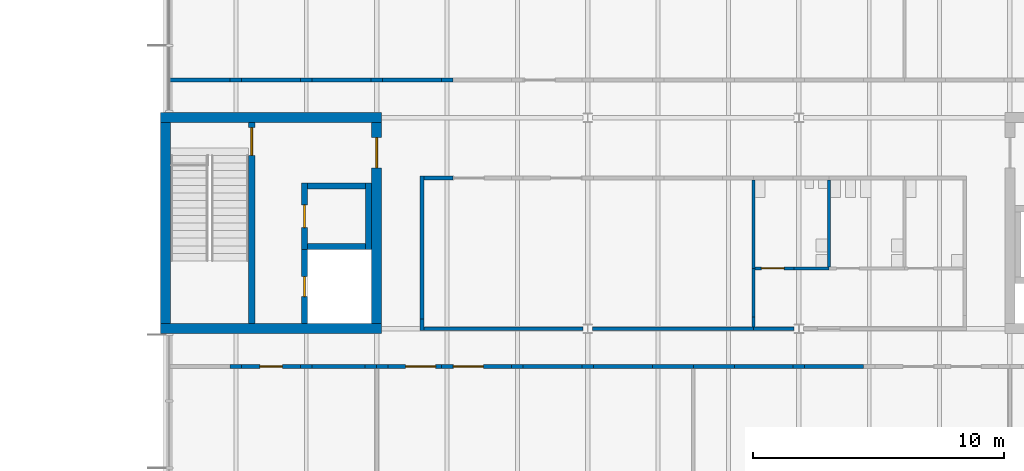
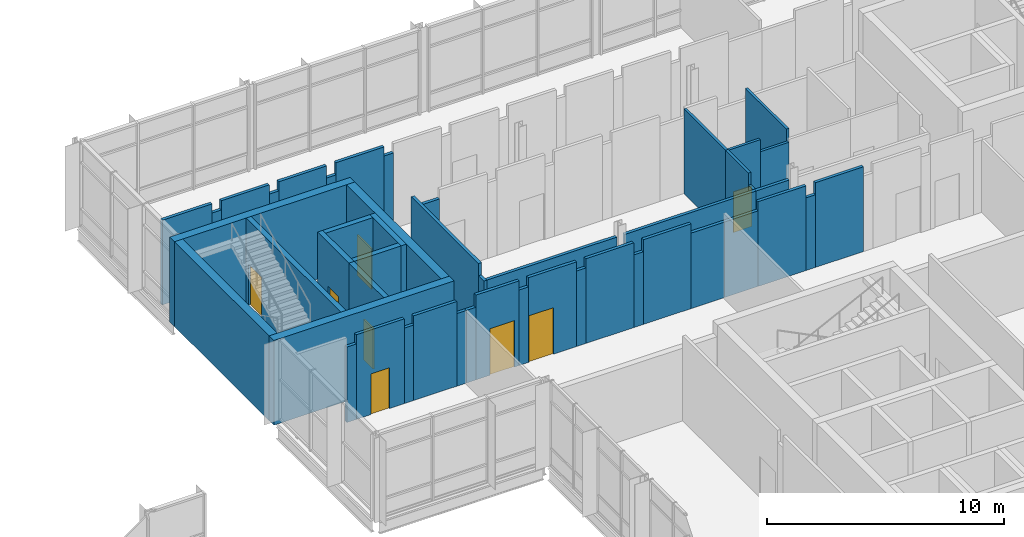
# One storey, part 47 of 72: 48 walls, 8 doors, 8 openings.
"""IFC4 building model written with IfcOpenShell, lengths in metres."""

import ifcopenshell
import ifcopenshell.guid

model = None  # the IFC model being written
_history = None  # IfcOwnerHistory: only IFC2X3 demands one
_inside = {}  # id of a spatial element -> (the spatial element, [elements in it])
_under = {}  # id of a project, library or spatial element -> (it, [spatial elements below it])
_declared = {}  # id of a project -> (the project, [libraries it declares])
_typed = {}  # id of a type object -> (the type object, [elements of that type])
_made_of = {}  # id of a material, layer set ... -> (it, [elements and type objects made of it])


def new_model(schema):
    """Start an empty IFC model of exactly this schema.

    Asked for "IFC4X3", IfcOpenShell would pick the latest addendum, in which some entities
    have other attributes; the version numbers below select the first issue.
    IFC2X3 requires an IfcOwnerHistory on every rooted entity: one is made here for all.
    """
    global model, _history
    if schema == "IFC4X3":
        model = ifcopenshell.file(schema_version=(4, 3, 0, 0))
    else:
        model = ifcopenshell.file(schema=schema)
    _inside.clear()
    _under.clear()
    _declared.clear()
    _typed.clear()
    _made_of.clear()
    _history = None
    if model.schema == "IFC2X3":
        org = make("IfcOrganization", Name="unknown")
        user = make(
            "IfcPersonAndOrganization",
            ThePerson=make("IfcPerson", FamilyName="unknown"),
            TheOrganization=org,
        )
        app = make(
            "IfcApplication",
            ApplicationDeveloper=org,
            Version="unknown",
            ApplicationFullName="unknown",
            ApplicationIdentifier="unknown",
        )
        _history = make(
            "IfcOwnerHistory",
            OwningUser=user,
            OwningApplication=app,
            ChangeAction="ADDED",
            CreationDate=0,
        )
    return model


def make(cls, **values):
    """One entity of the class cls with the attributes given. An attribute that is None is left unset."""
    return model.create_entity(
        cls, **{name: value for name, value in values.items() if value is not None}
    )


def rooted(cls, **values):
    """An entity with a GlobalId (a new one), such as an element, a storey or a relation."""
    return make(cls, GlobalId=ifcopenshell.guid.new(), OwnerHistory=_history, **values)


def si_unit(unit_type, name, prefix=None):
    """IfcSIUnit, for example si_unit("LENGTHUNIT", "METRE", prefix="MILLI")."""
    return make("IfcSIUnit", UnitType=unit_type, Prefix=prefix, Name=name)


def assignment(units):
    """IfcUnitAssignment: the units of a project."""
    return None if units is None else make("IfcUnitAssignment", Units=units)


def point(xyz):
    """IfcCartesianPoint."""
    return None if xyz is None else make("IfcCartesianPoint", Coordinates=xyz)


def direction(xyz):
    """IfcDirection."""
    return None if xyz is None else make("IfcDirection", DirectionRatios=xyz)


def frame(location, z_axis=None, x_axis=None):
    """IfcAxis2Placement3D, a coordinate frame: its origin and axes. An axis left out is left unset."""
    return make(
        "IfcAxis2Placement3D",
        Location=point(location),
        Axis=direction(z_axis),
        RefDirection=direction(x_axis),
    )


def frame_2d(location, x_axis=None):
    """IfcAxis2Placement2D, a coordinate frame in the plane: its origin and x axis."""
    return make(
        "IfcAxis2Placement2D", Location=point(location), RefDirection=direction(x_axis)
    )


def origin():
    """The frame at (0, 0, 0) with its axes left unset."""
    return frame((0.0, 0.0, 0.0))


def place(relative_to, where):
    """IfcLocalPlacement: puts the frame where relative to a parent placement (None: the world)."""
    return make(
        "IfcLocalPlacement", PlacementRelTo=relative_to, RelativePlacement=where
    )


def context(
    kind, dimensions, precision=None, world=None, true_north=None, identifier=None
):
    """IfcGeometricRepresentationContext, for example the 3D "Model" context."""
    return make(
        "IfcGeometricRepresentationContext",
        ContextIdentifier=identifier,
        ContextType=kind,
        CoordinateSpaceDimension=dimensions,
        Precision=precision,
        WorldCoordinateSystem=world,
        TrueNorth=true_north,
    )


def subcontext(parent, identifier, kind, view, scale=None):
    """IfcGeometricRepresentationSubContext, for example "Body" below "Model"."""
    return make(
        "IfcGeometricRepresentationSubContext",
        ContextIdentifier=identifier,
        ContextType=kind,
        ParentContext=parent,
        TargetScale=scale,
        TargetView=view,
    )


def project(units=None, contexts=None):
    """IfcProject with its units and contexts."""
    return rooted(
        "IfcProject",
        Name="project",
        RepresentationContexts=contexts,
        UnitsInContext=assignment(units),
    )


def spatial(cls, under=None, at=None, **own):
    """A site, building, storey or space (cls), placed at a placement, below another one or the project."""
    s = rooted(cls, ObjectPlacement=at, **own)
    if under is not None:
        _under.setdefault(under.id(), (under, []))[1].append(s)
    return s


def profile(cls, at=None, kind="AREA", **sizes):
    """A parametric profile (cls). Its sizes go by their IFC names, for example OverallWidth=200.0."""
    return make(cls, ProfileType=kind, Position=at, **sizes)


def rectangle(**sizes):
    """IfcRectangleProfileDef."""
    return profile("IfcRectangleProfileDef", **sizes)


def extrude(swept, where, along, depth):
    """IfcExtrudedAreaSolid: the profile swept, set in the frame where, extruded along a direction by depth."""
    return make(
        "IfcExtrudedAreaSolid",
        SweptArea=swept,
        Position=where,
        ExtrudedDirection=direction(along),
        Depth=depth,
    )


def shape(context_of_items, identifier, shape_type, items):
    """IfcShapeRepresentation: the items that make up one representation, for example the "Body"."""
    return make(
        "IfcShapeRepresentation",
        ContextOfItems=context_of_items,
        RepresentationIdentifier=identifier,
        RepresentationType=shape_type,
        Items=items,
    )


def material(Name=None, Category=None):
    """IfcMaterial."""
    return make("IfcMaterial", Name=Name, Category=Category)


def layer(
    of_material, thickness, ventilated=None, Name=None, Category=None, Priority=None
):
    """IfcMaterialLayer: one layer of a wall or slab, of a material (None: an air gap)."""
    return make(
        "IfcMaterialLayer",
        Material=of_material,
        LayerThickness=thickness,
        IsVentilated=ventilated,
        Name=Name,
        Category=Category,
        Priority=Priority,
    )


def layer_set(layers, Name=None):
    """IfcMaterialLayerSet."""
    return make("IfcMaterialLayerSet", MaterialLayers=layers, LayerSetName=Name)


def made_of(thing, what):
    """Note that an element or type object is made of a material, layer set ...; save() writes the relation."""
    if what is not None:
        _made_of.setdefault(what.id(), (what, []))[1].append(thing)
    return thing


def type_object(cls, material=None, **own):
    """A type object (cls), such as IfcWallType, which elements share."""
    return made_of(rooted(cls, **own), material)


def element(
    cls,
    number,
    at=None,
    inside=None,
    cuts=None,
    type_object=None,
    material=None,
    context=None,
    identifier="Body",
    shape_type=None,
    held_by="IfcProductDefinitionShape",
    body=None,
    shapes=None,
    **own,
):
    """One element of the class cls, such as IfcWall. Its Tag is "e" and its number.

    at: its placement. inside: the storey or other place that contains it. cuts: it is an
    opening in that element (IfcRelVoidsElement). A single representation is given by context,
    identifier, shape_type and body (its items); several are given by shapes. held_by: the class
    of the entity that holds the representations. save() writes the other relations.
    """
    e = rooted(cls, Tag="e%d" % number, ObjectPlacement=at, **own)
    if body is not None:
        shapes = [shape(context, identifier, shape_type, body)]
    if shapes is not None:
        e.Representation = make(held_by, Representations=shapes)
    if inside is not None:
        _inside.setdefault(inside.id(), (inside, []))[1].append(e)
    if cuts is not None:
        rooted(
            "IfcRelVoidsElement", RelatingBuildingElement=cuts, RelatedOpeningElement=e
        )
    if type_object is not None:
        _typed.setdefault(type_object.id(), (type_object, []))[1].append(e)
    return made_of(e, material)


def fill(opening, filler):
    """IfcRelFillsElement: the door or window that sits in an opening."""
    return rooted(
        "IfcRelFillsElement",
        RelatingOpeningElement=opening,
        RelatedBuildingElement=filler,
    )


def aggregate(whole, parts):
    """IfcRelAggregates: a whole, such as a stair, and the parts it consists of."""
    return rooted("IfcRelAggregates", RelatingObject=whole, RelatedObjects=parts)


def save(model, path):
    """Write the relations noted so far, then the file.

    IfcRelAggregates (storeys below a building ...), IfcRelContainedInSpatialStructure (elements
    in a storey), IfcRelDefinesByType, IfcRelAssociatesMaterial and IfcRelDeclares: one each for
    every whole, place, type object, material and project.
    """
    for whole, parts in _under.values():
        aggregate(whole, parts)
    for where, things in _inside.values():
        rooted(
            "IfcRelContainedInSpatialStructure",
            RelatedElements=things,
            RelatingStructure=where,
        )
    for kind, things in _typed.values():
        rooted("IfcRelDefinesByType", RelatedObjects=things, RelatingType=kind)
    for what, things in _made_of.values():
        rooted("IfcRelAssociatesMaterial", RelatedObjects=things, RelatingMaterial=what)
    for by, libraries in _declared.values():
        rooted("IfcRelDeclares", RelatingContext=by, RelatedDefinitions=libraries)
    model.write(path)


model = new_model("IFC4")

# Units and contexts
model_context = context("Model", 3, precision=1e-05, world=origin(), true_north=direction((0.0, 1.0)))
body_context = subcontext(model_context, "Body", "Model", "MODEL_VIEW")
ifc_project = project(units=[si_unit("LENGTHUNIT", "METRE"), si_unit("AREAUNIT", "SQUARE_METRE"), si_unit("VOLUMEUNIT", "CUBIC_METRE"), si_unit("PLANEANGLEUNIT", "RADIAN"), si_unit("MASSUNIT", "GRAM", prefix="KILO")], contexts=[model_context])

# Site, building, storey
site_placement = place(None, origin())
site = spatial("IfcSite", under=ifc_project, at=site_placement, CompositionType="ELEMENT")
building_placement = place(site_placement, origin())
building = spatial("IfcBuilding", under=site, at=building_placement, Name="Hlaing Beacon Police Headquarters", CompositionType="ELEMENT")
storey_placement = place(building_placement, frame((0.0, 0.0, 14.39990234375)))
storey = spatial("IfcBuildingStorey", under=building, at=storey_placement, Name="L03", CompositionType="ELEMENT", Elevation=14.39990234375)

# Walls
ifc_material_1 = material(Name="Concrete C60/75", Category="concrete")
ifc_layer_1 = layer(ifc_material_1, 0.39990234375)
ifc_layer_set_1 = layer_set([ifc_layer_1], Name="Concrete C60/75")
wall_type_1 = type_object("IfcWallType", Name="Core shear wall 400", PredefinedType="SHEAR", material=ifc_layer_set_1)
for number, where, z_axis, x_axis, name in (
    (1, (92.199951171875, 75.60009765625, 0.0), (0.0, 0.0, 1.0), (1.0, 0.0, 0.0), "Core shear wall"),
    (2, (92.199951171875, 84.0, 0.0), (0.0, 0.0, 1.0), (1.0, 0.0, 0.0), "Core shear wall"),
):
    element("IfcWall", number, at=place(storey_placement, frame(where, z_axis=z_axis, x_axis=x_axis)), inside=storey, type_object=wall_type_1, Name=name, PredefinedType="SHEAR", context=body_context, shape_type="SweptSolid", body=[
        extrude(rectangle(XDim=8.800048828125, YDim=0.39990234375, at=frame_2d((4.39990234375, 0.0))), origin(), (0.0, 0.0, 1.0), 4.3701171875),
    ])
wall_1_placement = place(storey_placement, frame((92.39990234375, 75.800048828125, 0.0), z_axis=(0.0, 0.0, 1.0), x_axis=(0.0, 1.0, 0.0)))
element("IfcWall", 3, at=wall_1_placement, inside=storey, type_object=wall_type_1, Name="Core shear wall", PredefinedType="SHEAR", context=body_context, shape_type="SweptSolid", body=[
    extrude(rectangle(XDim=8.0, YDim=0.39990234375, at=frame_2d((4.0, 0.0))), origin(), (0.0, 0.0, 1.0), 4.3701171875),
])

# Wall, opening, door
wall_2_placement = place(storey_placement, frame((100.800048828125, 75.800048828125, 0.0), z_axis=(0.0, 0.0, 1.0), x_axis=(0.0, 1.0, 0.0)))
wall_2 = element("IfcWall", 4, at=wall_2_placement, inside=storey, type_object=wall_type_1, Name="Core shear wall", PredefinedType="SHEAR", context=body_context, shape_type="SweptSolid", body=[
    extrude(rectangle(XDim=8.0, YDim=0.39990234375, at=frame_2d((4.0, 0.0))), origin(), (0.0, 0.0, 1.0), 4.3701171875),
])
opening_1_placement = place(wall_2_placement, frame((6.199951171875, 0.0, 0.0)))
opening_1 = element("IfcOpeningElement", 5, at=opening_1_placement, cuts=wall_2, Name="Opening L03-938", PredefinedType="OPENING", context=body_context, shape_type="SweptSolid", body=[
    extrude(rectangle(XDim=1.199951171875, YDim=2.10009765625, at=frame_2d((0.60009765625, 1.050048828125))), frame((0.0, 0.2099609375, 0.0), z_axis=(0.0, -1.0, 0.0), x_axis=(1.0, 0.0, 0.0)), (0.0, 0.0, 1.0), 0.419921875),
])
ifc_material_2 = material(Name="Steel fire door leaf", Category="steel")
ifc_layer_2 = layer(ifc_material_2, 0.070068359375)
ifc_layer_set_2 = layer_set([ifc_layer_2], Name="Steel fire door leaf")
door_type_1 = type_object("IfcDoorType", Name="Steel fire door FD60S 1200x2100", OperationType="SINGLE_SWING_LEFT", PredefinedType="DOOR", material=ifc_layer_set_2)
door_1_placement = place(opening_1_placement, origin())
door_1 = element("IfcDoor", 6, at=door_1_placement, inside=storey, type_object=door_type_1, Name="Door Lift and Stair Lobby ST-Q Entry", OperationType="SINGLE_SWING_RIGHT", OverallHeight=2.10009765625, OverallWidth=1.199951171875, PredefinedType="DOOR", context=body_context, shape_type="SweptSolid", body=[
    extrude(rectangle(XDim=1.199951171875, YDim=2.10009765625, at=frame_2d((0.60009765625, 1.050048828125))), frame((0.0, 0.03515625, 0.0), z_axis=(0.0, -1.0, 0.0), x_axis=(1.0, 0.0, 0.0)), (0.0, 0.0, 1.0), 0.070068359375),
])
fill(opening_1, door_1)

# Walls
ifc_material_3 = material(Name="Gypsum board partition")
ifc_layer_3 = layer(ifc_material_3, 0.14990234375)
ifc_layer_set_3 = layer_set([ifc_layer_3], Name="Gypsum board partition")
wall_type_2 = type_object("IfcWallType", Name="Corridor wall EI 30 150", PredefinedType="PARTITIONING", material=ifc_layer_set_3)
wall_3_placement = place(storey_placement, frame((102.60009765625, 75.52490234375, 0.0), z_axis=(0.0, 0.0, 1.0), x_axis=(0.0, 1.0, 0.0)))
element("IfcWall", 7, at=wall_3_placement, inside=storey, type_object=wall_type_2, Name="Corridor wall EI 30 150", PredefinedType="PARTITIONING", context=body_context, shape_type="SweptSolid", body=[
    extrude(rectangle(XDim=0.460205078125, YDim=0.14990234375, at=frame_2d((0.22998046875, 0.0))), origin(), (0.0, 0.0, 1.0), 3.74609375),
])
wall_4_placement = place(storey_placement, frame((102.60009765625, 75.985107421875, 0.0), z_axis=(0.0, 0.0, 1.0), x_axis=(0.0, 1.0, 0.0)))
element("IfcWall", 8, at=wall_4_placement, inside=storey, type_object=wall_type_2, Name="Corridor wall EI 30 150", PredefinedType="PARTITIONING", context=body_context, shape_type="SweptSolid", body=[
    extrude(rectangle(XDim=5.68994140625, YDim=0.14990234375, at=frame_2d((2.844970703125, 0.0))), origin(), (0.0, 0.0, 1.0), 4.3701171875),
])
wall_5_placement = place(storey_placement, frame((102.675048828125, 75.60009765625, 0.0), z_axis=(0.0, 0.0, 1.0), x_axis=(1.0, 0.0, 0.0)))
element("IfcWall", 9, at=wall_5_placement, inside=storey, type_object=wall_type_2, Name="Corridor wall EI 30 150", PredefinedType="PARTITIONING", context=body_context, shape_type="SweptSolid", body=[
    extrude(rectangle(XDim=6.3388671875, YDim=0.14990234375, at=frame_2d((3.16943359375, 0.0))), origin(), (0.0, 0.0, 1.0), 3.74609375),
])
wall_6_placement = place(storey_placement, frame((109.385986328125, 75.60009765625, 0.0), z_axis=(0.0, 0.0, 1.0), x_axis=(1.0, 0.0, 0.0)))
element("IfcWall", 10, at=wall_6_placement, inside=storey, type_object=wall_type_2, Name="Corridor wall EI 30 150", PredefinedType="PARTITIONING", context=body_context, shape_type="SweptSolid", body=[
    extrude(rectangle(XDim=6.4140625, YDim=0.14990234375, at=frame_2d((3.20703125, 0.0))), origin(), (0.0, 0.0, 1.0), 3.74609375),
])
wall_7_placement = place(storey_placement, frame((102.675048828125, 81.60009765625, 0.0), z_axis=(0.0, 0.0, 1.0), x_axis=(1.0, 0.0, 0.0)))
element("IfcWall", 11, at=wall_7_placement, inside=storey, type_object=wall_type_2, Name="Corridor wall EI 30 150", PredefinedType="PARTITIONING", context=body_context, shape_type="SweptSolid", body=[
    extrude(rectangle(XDim=1.155029296875, YDim=0.14990234375, at=frame_2d((0.57763671875, 0.0))), origin(), (0.0, 0.0, 1.0), 3.89501953125),
])
wall_8_placement = place(storey_placement, frame((115.800048828125, 75.60009765625, 0.0), z_axis=(0.0, 0.0, 1.0), x_axis=(1.0, 0.0, 0.0)))
element("IfcWall", 12, at=wall_8_placement, inside=storey, type_object=wall_type_2, Name="Corridor wall EI 30 150", PredefinedType="PARTITIONING", context=body_context, shape_type="SweptSolid", body=[
    extrude(rectangle(XDim=1.614013671875, YDim=0.14990234375, at=frame_2d((0.80712890625, 0.0))), origin(), (0.0, 0.0, 1.0), 3.74609375),
])
wall_9_placement = place(storey_placement, frame((92.550048828125, 85.5, 0.0), z_axis=(0.0, 0.0, 1.0), x_axis=(1.0, 0.0, 0.0)))
element("IfcWall", 13, at=wall_9_placement, inside=storey, type_object=wall_type_2, Name="Corridor wall EI 30 150", PredefinedType="PARTITIONING", context=body_context, shape_type="SweptSolid", body=[
    extrude(rectangle(XDim=2.419921875, YDim=0.14990234375, at=frame_2d((1.2099609375, 0.0))), origin(), (0.0, 0.0, 1.0), 4.3701171875),
])
wall_10_placement = place(storey_placement, frame((94.969970703125, 85.5, 0.0), z_axis=(0.0, 0.0, 1.0), x_axis=(1.0, 0.0, 0.0)))
element("IfcWall", 14, at=wall_10_placement, inside=storey, type_object=wall_type_2, Name="Corridor wall EI 30 150", PredefinedType="PARTITIONING", context=body_context, shape_type="SweptSolid", body=[
    extrude(rectangle(XDim=0.4599609375, YDim=0.14990234375, at=frame_2d((0.22998046875, 0.0))), origin(), (0.0, 0.0, 1.0), 3.89501953125),
])
wall_11_placement = place(storey_placement, frame((95.429931640625, 85.5, 0.0), z_axis=(0.0, 0.0, 1.0), x_axis=(1.0, 0.0, 0.0)))
element("IfcWall", 15, at=wall_11_placement, inside=storey, type_object=wall_type_2, Name="Corridor wall EI 30 150", PredefinedType="PARTITIONING", context=body_context, shape_type="SweptSolid", body=[
    extrude(rectangle(XDim=2.340087890625, YDim=0.14990234375, at=frame_2d((1.169921875, 0.0))), origin(), (0.0, 0.0, 1.0), 4.3701171875),
])
wall_12_placement = place(storey_placement, frame((97.77001953125, 85.5, 0.0), z_axis=(0.0, 0.0, 1.0), x_axis=(1.0, 0.0, 0.0)))
element("IfcWall", 16, at=wall_12_placement, inside=storey, type_object=wall_type_2, Name="Corridor wall EI 30 150", PredefinedType="PARTITIONING", context=body_context, shape_type="SweptSolid", body=[
    extrude(rectangle(XDim=0.4599609375, YDim=0.14990234375, at=frame_2d((0.22998046875, 0.0))), origin(), (0.0, 0.0, 1.0), 3.89501953125),
])
wall_13_placement = place(storey_placement, frame((98.22998046875, 85.5, 0.0), z_axis=(0.0, 0.0, 1.0), x_axis=(1.0, 0.0, 0.0)))
element("IfcWall", 17, at=wall_13_placement, inside=storey, type_object=wall_type_2, Name="Corridor wall EI 30 150", PredefinedType="PARTITIONING", context=body_context, shape_type="SweptSolid", body=[
    extrude(rectangle(XDim=2.340087890625, YDim=0.14990234375, at=frame_2d((1.169921875, 0.0))), origin(), (0.0, 0.0, 1.0), 4.3701171875),
])
wall_14_placement = place(storey_placement, frame((100.570068359375, 85.5, 0.0), z_axis=(0.0, 0.0, 1.0), x_axis=(1.0, 0.0, 0.0)))
element("IfcWall", 18, at=wall_14_placement, inside=storey, type_object=wall_type_2, Name="Corridor wall EI 30 150", PredefinedType="PARTITIONING", context=body_context, shape_type="SweptSolid", body=[
    extrude(rectangle(XDim=0.4599609375, YDim=0.14990234375, at=frame_2d((0.22998046875, 0.0))), origin(), (0.0, 0.0, 1.0), 3.74609375),
])
wall_15_placement = place(storey_placement, frame((101.030029296875, 85.5, 0.0), z_axis=(0.0, 0.0, 1.0), x_axis=(1.0, 0.0, 0.0)))
element("IfcWall", 19, at=wall_15_placement, inside=storey, type_object=wall_type_2, Name="Corridor wall EI 30 150", PredefinedType="PARTITIONING", context=body_context, shape_type="SweptSolid", body=[
    extrude(rectangle(XDim=2.340087890625, YDim=0.14990234375, at=frame_2d((1.169921875, 0.0))), origin(), (0.0, 0.0, 1.0), 4.3701171875),
])
for number, where, z_axis, x_axis, name in (
    (20, (103.3701171875, 85.5, 0.0), (0.0, 0.0, 1.0), (1.0, 0.0, 0.0), "Corridor wall EI 30 150"),
    (21, (94.969970703125, 74.10009765625, 0.0), (0.0, 0.0, 1.0), (1.0, 0.0, 0.0), "Corridor wall EI 30 150"),
):
    element("IfcWall", number, at=place(storey_placement, frame(where, z_axis=z_axis, x_axis=x_axis)), inside=storey, type_object=wall_type_2, Name=name, PredefinedType="PARTITIONING", context=body_context, shape_type="SweptSolid", body=[
        extrude(rectangle(XDim=0.4599609375, YDim=0.14990234375, at=frame_2d((0.22998046875, 0.0))), origin(), (0.0, 0.0, 1.0), 3.89501953125),
    ])

# Wall, opening, door
wall_16_placement = place(storey_placement, frame((95.429931640625, 74.10009765625, 0.0), z_axis=(0.0, 0.0, 1.0), x_axis=(1.0, 0.0, 0.0)))
wall_16 = element("IfcWall", 22, at=wall_16_placement, inside=storey, type_object=wall_type_2, Name="Corridor wall EI 30 150", PredefinedType="PARTITIONING", context=body_context, shape_type="SweptSolid", body=[
    extrude(rectangle(XDim=2.340087890625, YDim=0.14990234375, at=frame_2d((1.169921875, 0.0))), origin(), (0.0, 0.0, 1.0), 4.3701171875),
])
opening_2_placement = place(wall_16_placement, frame((0.719970703125, 0.0, 0.0)))
opening_2 = element("IfcOpeningElement", 23, at=opening_2_placement, cuts=wall_16, Name="Opening L03-040", PredefinedType="OPENING", context=body_context, shape_type="SweptSolid", body=[
    extrude(rectangle(XDim=0.89990234375, YDim=2.10009765625, at=frame_2d((0.449951171875, 1.050048828125))), frame((0.0, 0.0849609375, 0.0), z_axis=(0.0, -1.0, 0.0), x_axis=(1.0, 0.0, 0.0)), (0.0, 0.0, 1.0), 0.169921875),
])
ifc_material_4 = material(Name="Hardwood door leaf", Category="wood")
ifc_layer_4 = layer(ifc_material_4, 0.050048828125)
ifc_layer_set_4 = layer_set([ifc_layer_4], Name="Hardwood door leaf")
door_type_2 = type_object("IfcDoorType", Name="Fire door FD30S 900x2100", OperationType="SINGLE_SWING_LEFT", PredefinedType="DOOR", material=ifc_layer_set_4)
door_2_placement = place(opening_2_placement, frame((0.89990234375, 0.0, 0.0), z_axis=(0.0, 0.0, 1.0), x_axis=(-1.0, 0.0, 0.0)))
door_2 = element("IfcDoor", 24, at=door_2_placement, inside=storey, type_object=door_type_2, Name="Door Training Offices", OperationType="SINGLE_SWING_LEFT", OverallHeight=2.10009765625, OverallWidth=0.89990234375, PredefinedType="DOOR", context=body_context, shape_type="SweptSolid", body=[
    extrude(rectangle(XDim=0.89990234375, YDim=2.10009765625, at=frame_2d((0.449951171875, 1.050048828125))), frame((0.0, 0.025146484375, 0.0), z_axis=(0.0, -1.0, 0.0), x_axis=(1.0, 0.0, 0.0)), (0.0, 0.0, 1.0), 0.050048828125),
])
fill(opening_2, door_2)

# Walls
wall_17_placement = place(storey_placement, frame((97.77001953125, 74.10009765625, 0.0), z_axis=(0.0, 0.0, 1.0), x_axis=(1.0, 0.0, 0.0)))
element("IfcWall", 25, at=wall_17_placement, inside=storey, type_object=wall_type_2, Name="Corridor wall EI 30 150", PredefinedType="PARTITIONING", context=body_context, shape_type="SweptSolid", body=[
    extrude(rectangle(XDim=0.4599609375, YDim=0.14990234375, at=frame_2d((0.22998046875, 0.0))), origin(), (0.0, 0.0, 1.0), 3.89501953125),
])
wall_18_placement = place(storey_placement, frame((98.22998046875, 74.10009765625, 0.0), z_axis=(0.0, 0.0, 1.0), x_axis=(1.0, 0.0, 0.0)))
element("IfcWall", 26, at=wall_18_placement, inside=storey, type_object=wall_type_2, Name="Corridor wall EI 30 150", PredefinedType="PARTITIONING", context=body_context, shape_type="SweptSolid", body=[
    extrude(rectangle(XDim=2.110107421875, YDim=0.14990234375, at=frame_2d((1.05517578125, 0.0))), origin(), (0.0, 0.0, 1.0), 4.3701171875),
])
for number, where, z_axis, x_axis, name in (
    (27, (100.340087890625, 74.10009765625, 0.0), (0.0, 0.0, 1.0), (1.0, 0.0, 0.0), "Corridor wall EI 30 150"),
    (28, (100.800048828125, 74.10009765625, 0.0), (0.0, 0.0, 1.0), (1.0, 0.0, 0.0), "Corridor wall EI 30 150"),
):
    element("IfcWall", number, at=place(storey_placement, frame(where, z_axis=z_axis, x_axis=x_axis)), inside=storey, type_object=wall_type_2, Name=name, PredefinedType="PARTITIONING", context=body_context, shape_type="SweptSolid", body=[
        extrude(rectangle(XDim=0.4599609375, YDim=0.14990234375, at=frame_2d((0.22998046875, 0.0))), origin(), (0.0, 0.0, 1.0), 3.74609375),
    ])

# Wall, opening, door
wall_19_placement = place(storey_placement, frame((101.260009765625, 74.10009765625, 0.0), z_axis=(0.0, 0.0, 1.0), x_axis=(1.0, 0.0, 0.0)))
wall_19 = element("IfcWall", 29, at=wall_19_placement, inside=storey, type_object=wall_type_2, Name="Corridor wall EI 30 150", PredefinedType="PARTITIONING", context=body_context, shape_type="SweptSolid", body=[
    extrude(rectangle(XDim=2.110107421875, YDim=0.14990234375, at=frame_2d((1.05517578125, 0.0))), origin(), (0.0, 0.0, 1.0), 4.3701171875),
])
opening_3_placement = place(wall_19_placement, frame((0.68994140625, 0.0, 0.0)))
opening_3 = element("IfcOpeningElement", 30, at=opening_3_placement, cuts=wall_19, Name="Opening L03-041", PredefinedType="OPENING", context=body_context, shape_type="SweptSolid", body=[
    extrude(rectangle(XDim=1.199951171875, YDim=2.39990234375, at=frame_2d((0.60009765625, 1.199951171875))), frame((0.0, 0.0849609375, 0.0), z_axis=(0.0, -1.0, 0.0), x_axis=(1.0, 0.0, 0.0)), (0.0, 0.0, 1.0), 0.169921875),
])
ifc_material_5 = material(Name="Hardwood door leaf", Category="wood")
ifc_layer_5 = layer(ifc_material_5, 0.050048828125)
ifc_layer_set_5 = layer_set([ifc_layer_5], Name="Hardwood door leaf")
door_type_3 = type_object("IfcDoorType", Name="Fire public door FD30S 1200x2400", OperationType="SINGLE_SWING_LEFT", PredefinedType="DOOR", material=ifc_layer_set_5)
door_3_placement = place(opening_3_placement, origin())
door_3 = element("IfcDoor", 31, at=door_3_placement, inside=storey, type_object=door_type_3, Name="Door Scenario Training Room 1", OperationType="SINGLE_SWING_RIGHT", OverallHeight=2.39990234375, OverallWidth=1.199951171875, PredefinedType="DOOR", context=body_context, shape_type="SweptSolid", body=[
    extrude(rectangle(XDim=1.199951171875, YDim=2.39990234375, at=frame_2d((0.60009765625, 1.199951171875))), frame((0.0, 0.02490234375, 0.0), z_axis=(0.0, -1.0, 0.0), x_axis=(1.0, 0.0, 0.0)), (0.0, 0.0, 1.0), 0.050048828125),
])
fill(opening_3, door_3)

# Wall
wall_20_placement = place(storey_placement, frame((103.3701171875, 74.10009765625, 0.0), z_axis=(0.0, 0.0, 1.0), x_axis=(1.0, 0.0, 0.0)))
element("IfcWall", 32, at=wall_20_placement, inside=storey, type_object=wall_type_2, Name="Corridor wall EI 30 150", PredefinedType="PARTITIONING", context=body_context, shape_type="SweptSolid", body=[
    extrude(rectangle(XDim=0.4599609375, YDim=0.14990234375, at=frame_2d((0.22998046875, 0.0))), origin(), (0.0, 0.0, 1.0), 3.89501953125),
])

# Wall, opening, door
wall_21_placement = place(storey_placement, frame((103.830078125, 74.10009765625, 0.0), z_axis=(0.0, 0.0, 1.0), x_axis=(1.0, 0.0, 0.0)))
wall_21 = element("IfcWall", 33, at=wall_21_placement, inside=storey, type_object=wall_type_2, Name="Corridor wall EI 30 150", PredefinedType="PARTITIONING", context=body_context, shape_type="SweptSolid", body=[
    extrude(rectangle(XDim=2.33984375, YDim=0.14990234375, at=frame_2d((1.169921875, 0.0))), origin(), (0.0, 0.0, 1.0), 4.3701171875),
])
opening_4_placement = place(wall_21_placement, frame((0.02001953125, 0.0, 0.0)))
opening_4 = element("IfcOpeningElement", 34, at=opening_4_placement, cuts=wall_21, Name="Opening L03-042", PredefinedType="OPENING", context=body_context, shape_type="SweptSolid", body=[
    extrude(rectangle(XDim=1.199951171875, YDim=2.39990234375, at=frame_2d((0.60009765625, 1.199951171875))), frame((0.0, 0.0849609375, 0.0), z_axis=(0.0, -1.0, 0.0), x_axis=(1.0, 0.0, 0.0)), (0.0, 0.0, 1.0), 0.169921875),
])
door_4_placement = place(opening_4_placement, origin())
door_4 = element("IfcDoor", 35, at=door_4_placement, inside=storey, type_object=door_type_3, Name="Door Scenario Training Room 1", OperationType="SINGLE_SWING_LEFT", OverallHeight=2.39990234375, OverallWidth=1.199951171875, PredefinedType="DOOR", context=body_context, shape_type="SweptSolid", body=[
    extrude(rectangle(XDim=1.199951171875, YDim=2.39990234375, at=frame_2d((0.60009765625, 1.199951171875))), frame((0.0, 0.02490234375, 0.0), z_axis=(0.0, -1.0, 0.0), x_axis=(1.0, 0.0, 0.0)), (0.0, 0.0, 1.0), 0.050048828125),
])
fill(opening_4, door_4)

# Walls
wall_22_placement = place(storey_placement, frame((106.169921875, 74.10009765625, 0.0), z_axis=(0.0, 0.0, 1.0), x_axis=(1.0, 0.0, 0.0)))
element("IfcWall", 36, at=wall_22_placement, inside=storey, type_object=wall_type_2, Name="Corridor wall EI 30 150", PredefinedType="PARTITIONING", context=body_context, shape_type="SweptSolid", body=[
    extrude(rectangle(XDim=0.4599609375, YDim=0.14990234375, at=frame_2d((0.22998046875, 0.0))), origin(), (0.0, 0.0, 1.0), 3.89501953125),
])
wall_23_placement = place(storey_placement, frame((106.6298828125, 74.10009765625, 0.0), z_axis=(0.0, 0.0, 1.0), x_axis=(1.0, 0.0, 0.0)))
element("IfcWall", 37, at=wall_23_placement, inside=storey, type_object=wall_type_2, Name="Corridor wall EI 30 150", PredefinedType="PARTITIONING", context=body_context, shape_type="SweptSolid", body=[
    extrude(rectangle(XDim=2.340087890625, YDim=0.14990234375, at=frame_2d((1.169921875, 0.0))), origin(), (0.0, 0.0, 1.0), 4.3701171875),
])
wall_24_placement = place(storey_placement, frame((108.969970703125, 74.10009765625, 0.0), z_axis=(0.0, 0.0, 1.0), x_axis=(1.0, 0.0, 0.0)))
element("IfcWall", 38, at=wall_24_placement, inside=storey, type_object=wall_type_2, Name="Corridor wall EI 30 150", PredefinedType="PARTITIONING", context=body_context, shape_type="SweptSolid", body=[
    extrude(rectangle(XDim=0.4599609375, YDim=0.14990234375, at=frame_2d((0.22998046875, 0.0))), origin(), (0.0, 0.0, 1.0), 3.74609375),
])
wall_25_placement = place(storey_placement, frame((109.429931640625, 74.10009765625, 0.0), z_axis=(0.0, 0.0, 1.0), x_axis=(1.0, 0.0, 0.0)))
element("IfcWall", 39, at=wall_25_placement, inside=storey, type_object=wall_type_2, Name="Corridor wall EI 30 150", PredefinedType="PARTITIONING", context=body_context, shape_type="SweptSolid", body=[
    extrude(rectangle(XDim=2.340087890625, YDim=0.14990234375, at=frame_2d((1.169921875, 0.0))), origin(), (0.0, 0.0, 1.0), 4.3701171875),
])
wall_26_placement = place(storey_placement, frame((111.77001953125, 74.10009765625, 0.0), z_axis=(0.0, 0.0, 1.0), x_axis=(1.0, 0.0, 0.0)))
element("IfcWall", 40, at=wall_26_placement, inside=storey, type_object=wall_type_2, Name="Corridor wall EI 30 150", PredefinedType="PARTITIONING", context=body_context, shape_type="SweptSolid", body=[
    extrude(rectangle(XDim=1.6298828125, YDim=0.14990234375, at=frame_2d((0.81494140625, 0.0))), origin(), (0.0, 0.0, 1.0), 3.89501953125),
])
wall_27_placement = place(storey_placement, frame((113.39990234375, 74.10009765625, 0.0), z_axis=(0.0, 0.0, 1.0), x_axis=(1.0, 0.0, 0.0)))
element("IfcWall", 41, at=wall_27_placement, inside=storey, type_object=wall_type_2, Name="Corridor wall EI 30 150", PredefinedType="PARTITIONING", context=body_context, shape_type="SweptSolid", body=[
    extrude(rectangle(XDim=1.630126953125, YDim=0.14990234375, at=frame_2d((0.81494140625, 0.0))), origin(), (0.0, 0.0, 1.0), 3.89501953125),
])
wall_28_placement = place(storey_placement, frame((115.030029296875, 74.10009765625, 0.0), z_axis=(0.0, 0.0, 1.0), x_axis=(1.0, 0.0, 0.0)))
element("IfcWall", 42, at=wall_28_placement, inside=storey, type_object=wall_type_2, Name="Corridor wall EI 30 150", PredefinedType="PARTITIONING", context=body_context, shape_type="SweptSolid", body=[
    extrude(rectangle(XDim=2.340087890625, YDim=0.14990234375, at=frame_2d((1.169921875, 0.0))), origin(), (0.0, 0.0, 1.0), 4.3701171875),
])
wall_29_placement = place(storey_placement, frame((117.3701171875, 74.10009765625, 0.0), z_axis=(0.0, 0.0, 1.0), x_axis=(1.0, 0.0, 0.0)))
element("IfcWall", 43, at=wall_29_placement, inside=storey, type_object=wall_type_2, Name="Corridor wall EI 30 150", PredefinedType="PARTITIONING", context=body_context, shape_type="SweptSolid", body=[
    extrude(rectangle(XDim=0.4599609375, YDim=0.14990234375, at=frame_2d((0.22998046875, 0.0))), origin(), (0.0, 0.0, 1.0), 3.74609375),
])
wall_30_placement = place(storey_placement, frame((117.830078125, 74.10009765625, 0.0), z_axis=(0.0, 0.0, 1.0), x_axis=(1.0, 0.0, 0.0)))
element("IfcWall", 44, at=wall_30_placement, inside=storey, type_object=wall_type_2, Name="Corridor wall EI 30 150", PredefinedType="PARTITIONING", context=body_context, shape_type="SweptSolid", body=[
    extrude(rectangle(XDim=2.33984375, YDim=0.14990234375, at=frame_2d((1.169921875, 0.0))), origin(), (0.0, 0.0, 1.0), 4.3701171875),
])
ifc_material_6 = material(Name="Gypsum board partition")
ifc_layer_6 = layer(ifc_material_6, 0.125)
ifc_layer_set_6 = layer_set([ifc_layer_6], Name="Gypsum board partition")
wall_type_3 = type_object("IfcWallType", Name="Partition 125", PredefinedType="PARTITIONING", material=ifc_layer_set_6)
wall_31_placement = place(storey_placement, frame((115.800048828125, 75.675048828125, 0.0), z_axis=(0.0, 0.0, 1.0), x_axis=(0.0, 1.0, 0.0)))
element("IfcWall", 45, at=wall_31_placement, inside=storey, type_object=wall_type_3, Name="Partition 125", PredefinedType="PARTITIONING", context=body_context, shape_type="SweptSolid", body=[
    extrude(rectangle(XDim=0.385009765625, YDim=0.125, at=frame_2d((0.1923828125, 0.0))), origin(), (0.0, 0.0, 1.0), 3.74609375),
])
wall_32_placement = place(storey_placement, frame((115.800048828125, 76.06005859375, 0.0), z_axis=(0.0, 0.0, 1.0), x_axis=(0.0, 1.0, 0.0)))
element("IfcWall", 46, at=wall_32_placement, inside=storey, type_object=wall_type_3, Name="Partition 125", PredefinedType="PARTITIONING", context=body_context, shape_type="SweptSolid", body=[
    extrude(rectangle(XDim=1.93994140625, YDim=0.125, at=frame_2d((0.969970703125, 0.0))), origin(), (0.0, 0.0, 1.0), 4.3701171875),
])
wall_33_placement = place(storey_placement, frame((115.800048828125, 78.0, 0.0), z_axis=(0.0, 0.0, 1.0), x_axis=(0.0, 1.0, 0.0)))
element("IfcWall", 47, at=wall_33_placement, inside=storey, type_object=wall_type_3, Name="Partition 125", PredefinedType="PARTITIONING", context=body_context, shape_type="SweptSolid", body=[
    extrude(rectangle(XDim=3.52490234375, YDim=0.125, at=frame_2d((1.762451171875, 0.0))), origin(), (0.0, 0.0, 1.0), 4.3701171875),
])
wall_34_placement = place(storey_placement, frame((118.800048828125, 78.06201171875, 0.0), z_axis=(0.0, 0.0, 1.0), x_axis=(0.0, 1.0, 0.0)))
element("IfcWall", 48, at=wall_34_placement, inside=storey, type_object=wall_type_3, Name="Partition 125", PredefinedType="PARTITIONING", context=body_context, shape_type="SweptSolid", body=[
    extrude(rectangle(XDim=3.462890625, YDim=0.125, at=frame_2d((1.7314453125, 0.0))), origin(), (0.0, 0.0, 1.0), 4.3701171875),
])

# Wall, opening, door
wall_35_placement = place(storey_placement, frame((115.862060546875, 78.0, 0.0), z_axis=(0.0, 0.0, 1.0), x_axis=(1.0, 0.0, 0.0)))
wall_35 = element("IfcWall", 49, at=wall_35_placement, inside=storey, type_object=wall_type_3, Name="Partition 125", PredefinedType="PARTITIONING", context=body_context, shape_type="SweptSolid", body=[
    extrude(rectangle(XDim=1.544921875, YDim=0.125, at=frame_2d((0.7724609375, 0.0))), origin(), (0.0, 0.0, 1.0), 4.3701171875),
])
opening_5_placement = place(wall_35_placement, frame((0.25, 0.0, 0.0)))
opening_5 = element("IfcOpeningElement", 50, at=opening_5_placement, cuts=wall_35, Name="Opening L03-037", PredefinedType="OPENING", context=body_context, shape_type="SweptSolid", body=[
    extrude(rectangle(XDim=0.89990234375, YDim=2.10009765625, at=frame_2d((0.449951171875, 1.050048828125))), frame((0.0, 0.072509765625, 0.0), z_axis=(0.0, -1.0, 0.0), x_axis=(1.0, 0.0, 0.0)), (0.0, 0.0, 1.0), 0.14501953125),
])
ifc_material_7 = material(Name="Hardwood door leaf", Category="wood")
ifc_layer_7 = layer(ifc_material_7, 0.0400390625)
ifc_layer_set_7 = layer_set([ifc_layer_7], Name="Hardwood door leaf")
door_type_4 = type_object("IfcDoorType", Name="Door 900x2100", OperationType="SINGLE_SWING_LEFT", PredefinedType="DOOR", material=ifc_layer_set_7)
door_5_placement = place(opening_5_placement, origin())
door_5 = element("IfcDoor", 51, at=door_5_placement, inside=storey, type_object=door_type_4, Name="Door Male WC", OperationType="SINGLE_SWING_RIGHT", OverallHeight=2.10009765625, OverallWidth=0.89990234375, PredefinedType="DOOR", context=body_context, shape_type="SweptSolid", body=[
    extrude(rectangle(XDim=0.89990234375, YDim=2.10009765625, at=frame_2d((0.449951171875, 1.050048828125))), frame((0.0, 0.02001953125, 0.0), z_axis=(0.0, -1.0, 0.0), x_axis=(1.0, 0.0, 0.0)), (0.0, 0.0, 1.0), 0.0400390625),
])
fill(opening_5, door_5)

# Wall
wall_36_placement = place(storey_placement, frame((117.406982421875, 78.0, 0.0), z_axis=(0.0, 0.0, 1.0), x_axis=(1.0, 0.0, 0.0)))
element("IfcWall", 52, at=wall_36_placement, inside=storey, type_object=wall_type_3, Name="Partition 125", PredefinedType="PARTITIONING", context=body_context, shape_type="SweptSolid", body=[
    extrude(rectangle(XDim=1.39306640625, YDim=0.125, at=frame_2d((0.696533203125, 0.0))), origin(), (0.0, 0.0, 1.0), 3.74609375),
])

# Wall, opening, door
ifc_material_8 = material(Name="Concrete C40/50", Category="concrete")
ifc_layer_8 = layer(ifc_material_8, 0.25)
ifc_layer_set_8 = layer_set([ifc_layer_8], Name="Concrete C40/50")
wall_type_4 = type_object("IfcWallType", Name="Shaft wall 250", PredefinedType="SOLIDWALL", material=ifc_layer_set_8)
wall_37_placement = place(storey_placement, frame((95.824951171875, 83.800048828125, 0.0), z_axis=(0.0, 0.0, 1.0), x_axis=(0.0, -1.0, 0.0)))
wall_37 = element("IfcWall", 53, at=wall_37_placement, inside=storey, type_object=wall_type_4, Name="Stair enclosure wall", PredefinedType="SOLIDWALL", context=body_context, shape_type="SweptSolid", body=[
    extrude(rectangle(XDim=8.0, YDim=0.25, at=frame_2d((4.0, 0.0))), origin(), (0.0, 0.0, 1.0), 4.3701171875),
])
opening_6_placement = place(wall_37_placement, frame((0.199951171875, 0.0, 0.0)))
opening_6 = element("IfcOpeningElement", 54, at=opening_6_placement, cuts=wall_37, Name="Opening L03-941", PredefinedType="OPENING", context=body_context, shape_type="SweptSolid", body=[
    extrude(rectangle(XDim=1.10009765625, YDim=2.10009765625, at=frame_2d((0.550048828125, 1.050048828125))), frame((0.0, 0.135009765625, 0.0), z_axis=(0.0, -1.0, 0.0), x_axis=(1.0, 0.0, 0.0)), (0.0, 0.0, 1.0), 0.27001953125),
])
ifc_material_9 = material(Name="Steel fire door leaf", Category="steel")
ifc_layer_9 = layer(ifc_material_9, 0.070068359375)
ifc_layer_set_9 = layer_set([ifc_layer_9], Name="Steel fire door leaf")
door_type_5 = type_object("IfcDoorType", Name="Steel fire door FD60 1100x2100", OperationType="SINGLE_SWING_LEFT", PredefinedType="DOOR", material=ifc_layer_set_9)
door_6_placement = place(opening_6_placement, frame((1.10009765625, 0.0, 0.0), z_axis=(0.0, 0.0, 1.0), x_axis=(-1.0, 0.0, 0.0)))
door_6 = element("IfcDoor", 55, at=door_6_placement, inside=storey, type_object=door_type_5, Name="Door Stair ST-Q", OperationType="SINGLE_SWING_LEFT", OverallHeight=2.10009765625, OverallWidth=1.10009765625, PredefinedType="DOOR", context=body_context, shape_type="SweptSolid", body=[
    extrude(rectangle(XDim=1.10009765625, YDim=2.10009765625, at=frame_2d((0.550048828125, 1.050048828125))), frame((0.0, 0.034912109375, 0.0), z_axis=(0.0, -1.0, 0.0), x_axis=(1.0, 0.0, 0.0)), (0.0, 0.0, 1.0), 0.070068359375),
])
fill(opening_6, door_6)

wall_38_placement = place(storey_placement, frame((97.925048828125, 78.75, 0.0), z_axis=(0.0, 0.0, 1.0), x_axis=(0.0, -1.0, 0.0)))
wall_38 = element("IfcWall", 56, at=wall_38_placement, inside=storey, type_object=wall_type_4, Name="Lobby wall", PredefinedType="SOLIDWALL", context=body_context, shape_type="SweptSolid", body=[
    extrude(rectangle(XDim=2.949951171875, YDim=0.25, at=frame_2d((1.47509765625, 0.0))), origin(), (0.0, 0.0, 1.0), 4.3701171875),
])
opening_7_placement = place(wall_38_placement, frame((1.074951171875, 0.0, 0.0)))
opening_7 = element("IfcOpeningElement", 57, at=opening_7_placement, cuts=wall_38, Name="Opening L03-940", PredefinedType="OPENING", context=body_context, shape_type="SweptSolid", body=[
    extrude(rectangle(XDim=0.800048828125, YDim=2.10009765625, at=frame_2d((0.39990234375, 1.050048828125))), frame((0.0, 0.135009765625, 0.0), z_axis=(0.0, -1.0, 0.0), x_axis=(1.0, 0.0, 0.0)), (0.0, 0.0, 1.0), 0.27001953125),
])
ifc_material_10 = material(Name="Steel fire door leaf", Category="steel")
ifc_layer_10 = layer(ifc_material_10, 0.070068359375)
ifc_layer_set_10 = layer_set([ifc_layer_10], Name="Steel fire door leaf")
door_type_6 = type_object("IfcDoorType", Name="Steel fire door FD60 800x2100", OperationType="SINGLE_SWING_LEFT", PredefinedType="DOOR", material=ifc_layer_set_10)
door_7_placement = place(opening_7_placement, origin())
door_7 = element("IfcDoor", 58, at=door_7_placement, inside=storey, type_object=door_type_6, Name="Door Services Riser", OperationType="SINGLE_SWING_RIGHT", OverallHeight=2.10009765625, OverallWidth=0.800048828125, PredefinedType="DOOR", context=body_context, shape_type="SweptSolid", body=[
    extrude(rectangle(XDim=0.800048828125, YDim=2.10009765625, at=frame_2d((0.39990234375, 1.050048828125))), frame((0.0, 0.03515625, 0.0), z_axis=(0.0, -1.0, 0.0), x_axis=(1.0, 0.0, 0.0)), (0.0, 0.0, 1.0), 0.070068359375),
])
fill(opening_7, door_7)

wall_39_placement = place(storey_placement, frame((97.925048828125, 81.39990234375, 0.0), z_axis=(0.0, 0.0, 1.0), x_axis=(0.0, -1.0, 0.0)))
wall_39 = element("IfcWall", 59, at=wall_39_placement, inside=storey, type_object=wall_type_4, Name="Store wall", PredefinedType="SOLIDWALL", context=body_context, shape_type="SweptSolid", body=[
    extrude(rectangle(XDim=2.64990234375, YDim=0.25, at=frame_2d((1.324951171875, 0.0))), origin(), (0.0, 0.0, 1.0), 4.3701171875),
])
opening_8_placement = place(wall_39_placement, frame((0.875, 0.0, 0.0)))
opening_8 = element("IfcOpeningElement", 60, at=opening_8_placement, cuts=wall_39, Name="Opening L03-939", PredefinedType="OPENING", context=body_context, shape_type="SweptSolid", body=[
    extrude(rectangle(XDim=0.89990234375, YDim=2.10009765625, at=frame_2d((0.449951171875, 1.050048828125))), frame((0.0, 0.135009765625, 0.0), z_axis=(0.0, -1.0, 0.0), x_axis=(1.0, 0.0, 0.0)), (0.0, 0.0, 1.0), 0.27001953125),
])
ifc_material_11 = material(Name="Steel fire door leaf", Category="steel")
ifc_layer_11 = layer(ifc_material_11, 0.070068359375)
ifc_layer_set_11 = layer_set([ifc_layer_11], Name="Steel fire door leaf")
door_type_7 = type_object("IfcDoorType", Name="Steel fire door FD60 900x2100", OperationType="SINGLE_SWING_LEFT", PredefinedType="DOOR", material=ifc_layer_set_11)
door_8_placement = place(opening_8_placement, origin())
door_8 = element("IfcDoor", 61, at=door_8_placement, inside=storey, type_object=door_type_7, Name="Door Cleaners' Store", OperationType="SINGLE_SWING_RIGHT", OverallHeight=2.10009765625, OverallWidth=0.89990234375, PredefinedType="DOOR", context=body_context, shape_type="SweptSolid", body=[
    extrude(rectangle(XDim=0.89990234375, YDim=2.10009765625, at=frame_2d((0.449951171875, 1.050048828125))), frame((0.0, 0.03515625, 0.0), z_axis=(0.0, -1.0, 0.0), x_axis=(1.0, 0.0, 0.0)), (0.0, 0.0, 1.0), 0.070068359375),
])
fill(opening_8, door_8)

# Walls
wall_40_placement = place(storey_placement, frame((100.47509765625, 81.39990234375, 0.0), z_axis=(0.0, 0.0, 1.0), x_axis=(0.0, -1.0, 0.0)))
element("IfcWall", 62, at=wall_40_placement, inside=storey, type_object=wall_type_4, Name="Store wall", PredefinedType="SOLIDWALL", context=body_context, shape_type="SweptSolid", body=[
    extrude(rectangle(XDim=2.64990234375, YDim=0.25, at=frame_2d((1.324951171875, 0.0))), origin(), (0.0, 0.0, 1.0), 4.3701171875),
])
for number, where, z_axis, x_axis, name in (
    (63, (98.050048828125, 81.27490234375, 0.0), (0.0, 0.0, 1.0), (1.0, 0.0, 0.0), "Store wall"),
    (64, (98.050048828125, 78.875, 0.0), (0.0, 0.0, 1.0), (1.0, 0.0, 0.0), "Store wall"),
):
    element("IfcWall", number, at=place(storey_placement, frame(where, z_axis=z_axis, x_axis=x_axis)), inside=storey, type_object=wall_type_4, Name=name, PredefinedType="SOLIDWALL", context=body_context, shape_type="SweptSolid", body=[
        extrude(rectangle(XDim=2.300048828125, YDim=0.25, at=frame_2d((1.14990234375, 0.0))), origin(), (0.0, 0.0, 1.0), 4.3701171875),
    ])

save(model, "model.ifc")
